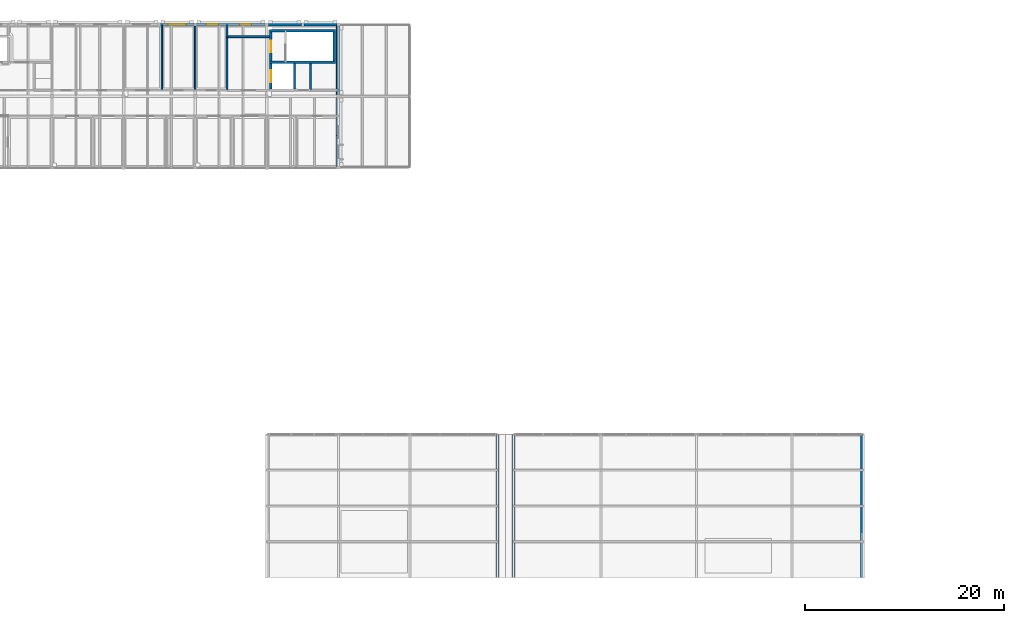
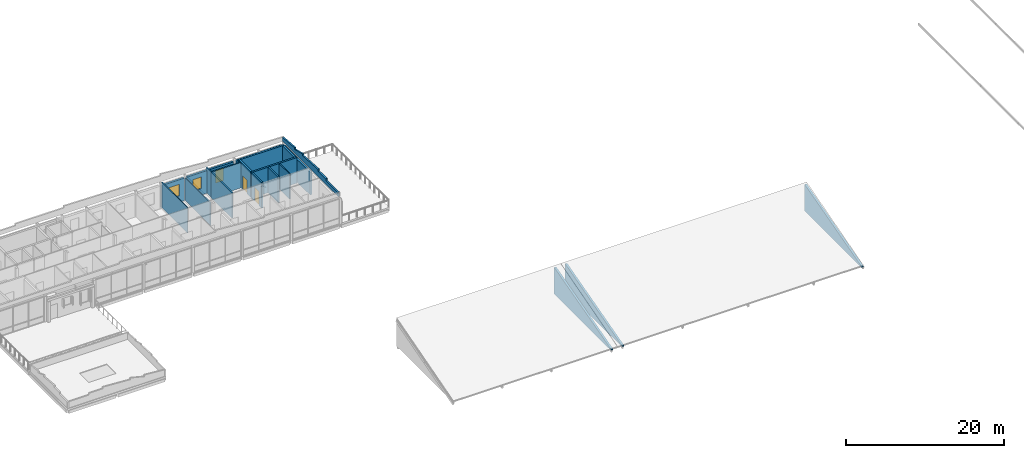
# One storey, part 27 of 32: 21 walls, 3 windows, 2 doors, 5 openings.
"""IFC4 building model written with IfcOpenShell, lengths in metres."""

import ifcopenshell
import ifcopenshell.guid

model = None  # the IFC model being written
_history = None  # IfcOwnerHistory: only IFC2X3 demands one
_inside = {}  # id of a spatial element -> (the spatial element, [elements in it])
_under = {}  # id of a project, library or spatial element -> (it, [spatial elements below it])
_declared = {}  # id of a project -> (the project, [libraries it declares])
_typed = {}  # id of a type object -> (the type object, [elements of that type])
_made_of = {}  # id of a material, layer set ... -> (it, [elements and type objects made of it])


def new_model(schema):
    """Start an empty IFC model of exactly this schema.

    Asked for "IFC4X3", IfcOpenShell would pick the latest addendum, in which some entities
    have other attributes; the version numbers below select the first issue.
    IFC2X3 requires an IfcOwnerHistory on every rooted entity: one is made here for all.
    """
    global model, _history
    if schema == "IFC4X3":
        model = ifcopenshell.file(schema_version=(4, 3, 0, 0))
    else:
        model = ifcopenshell.file(schema=schema)
    _inside.clear()
    _under.clear()
    _declared.clear()
    _typed.clear()
    _made_of.clear()
    _history = None
    if model.schema == "IFC2X3":
        org = make("IfcOrganization", Name="unknown")
        user = make(
            "IfcPersonAndOrganization",
            ThePerson=make("IfcPerson", FamilyName="unknown"),
            TheOrganization=org,
        )
        app = make(
            "IfcApplication",
            ApplicationDeveloper=org,
            Version="unknown",
            ApplicationFullName="unknown",
            ApplicationIdentifier="unknown",
        )
        _history = make(
            "IfcOwnerHistory",
            OwningUser=user,
            OwningApplication=app,
            ChangeAction="ADDED",
            CreationDate=0,
        )
    return model


def make(cls, **values):
    """One entity of the class cls with the attributes given. An attribute that is None is left unset."""
    return model.create_entity(
        cls, **{name: value for name, value in values.items() if value is not None}
    )


def rooted(cls, **values):
    """An entity with a GlobalId (a new one), such as an element, a storey or a relation."""
    return make(cls, GlobalId=ifcopenshell.guid.new(), OwnerHistory=_history, **values)


def si_unit(unit_type, name, prefix=None):
    """IfcSIUnit, for example si_unit("LENGTHUNIT", "METRE", prefix="MILLI")."""
    return make("IfcSIUnit", UnitType=unit_type, Prefix=prefix, Name=name)


def assignment(units):
    """IfcUnitAssignment: the units of a project."""
    return None if units is None else make("IfcUnitAssignment", Units=units)


def point(xyz):
    """IfcCartesianPoint."""
    return None if xyz is None else make("IfcCartesianPoint", Coordinates=xyz)


def direction(xyz):
    """IfcDirection."""
    return None if xyz is None else make("IfcDirection", DirectionRatios=xyz)


def frame(location, z_axis=None, x_axis=None):
    """IfcAxis2Placement3D, a coordinate frame: its origin and axes. An axis left out is left unset."""
    return make(
        "IfcAxis2Placement3D",
        Location=point(location),
        Axis=direction(z_axis),
        RefDirection=direction(x_axis),
    )


def frame_2d(location, x_axis=None):
    """IfcAxis2Placement2D, a coordinate frame in the plane: its origin and x axis."""
    return make(
        "IfcAxis2Placement2D", Location=point(location), RefDirection=direction(x_axis)
    )


def origin():
    """The frame at (0, 0, 0) with its axes left unset."""
    return frame((0.0, 0.0, 0.0))


def place(relative_to, where):
    """IfcLocalPlacement: puts the frame where relative to a parent placement (None: the world)."""
    return make(
        "IfcLocalPlacement", PlacementRelTo=relative_to, RelativePlacement=where
    )


def context(
    kind, dimensions, precision=None, world=None, true_north=None, identifier=None
):
    """IfcGeometricRepresentationContext, for example the 3D "Model" context."""
    return make(
        "IfcGeometricRepresentationContext",
        ContextIdentifier=identifier,
        ContextType=kind,
        CoordinateSpaceDimension=dimensions,
        Precision=precision,
        WorldCoordinateSystem=world,
        TrueNorth=true_north,
    )


def subcontext(parent, identifier, kind, view, scale=None):
    """IfcGeometricRepresentationSubContext, for example "Body" below "Model"."""
    return make(
        "IfcGeometricRepresentationSubContext",
        ContextIdentifier=identifier,
        ContextType=kind,
        ParentContext=parent,
        TargetScale=scale,
        TargetView=view,
    )


def project(units=None, contexts=None):
    """IfcProject with its units and contexts."""
    return rooted(
        "IfcProject",
        Name="project",
        RepresentationContexts=contexts,
        UnitsInContext=assignment(units),
    )


def spatial(cls, under=None, at=None, **own):
    """A site, building, storey or space (cls), placed at a placement, below another one or the project."""
    s = rooted(cls, ObjectPlacement=at, **own)
    if under is not None:
        _under.setdefault(under.id(), (under, []))[1].append(s)
    return s


def polyline(points):
    """IfcPolyline through the points."""
    return make("IfcPolyline", Points=[point(p) for p in points])


def profile(cls, at=None, kind="AREA", **sizes):
    """A parametric profile (cls). Its sizes go by their IFC names, for example OverallWidth=200.0."""
    return make(cls, ProfileType=kind, Position=at, **sizes)


def rectangle(**sizes):
    """IfcRectangleProfileDef."""
    return profile("IfcRectangleProfileDef", **sizes)


def outline(outer, holes=None, kind="AREA"):
    """IfcArbitraryClosedProfileDef: a profile drawn as a closed curve; with holes, ...WithVoids."""
    if holes is None:
        return make("IfcArbitraryClosedProfileDef", ProfileType=kind, OuterCurve=outer)
    return make(
        "IfcArbitraryProfileDefWithVoids",
        ProfileType=kind,
        OuterCurve=outer,
        InnerCurves=holes,
    )


def extrude(swept, where, along, depth):
    """IfcExtrudedAreaSolid: the profile swept, set in the frame where, extruded along a direction by depth."""
    return make(
        "IfcExtrudedAreaSolid",
        SweptArea=swept,
        Position=where,
        ExtrudedDirection=direction(along),
        Depth=depth,
    )


def shape(context_of_items, identifier, shape_type, items):
    """IfcShapeRepresentation: the items that make up one representation, for example the "Body"."""
    return make(
        "IfcShapeRepresentation",
        ContextOfItems=context_of_items,
        RepresentationIdentifier=identifier,
        RepresentationType=shape_type,
        Items=items,
    )


def material(Name=None, Category=None):
    """IfcMaterial."""
    return make("IfcMaterial", Name=Name, Category=Category)


def layer(
    of_material, thickness, ventilated=None, Name=None, Category=None, Priority=None
):
    """IfcMaterialLayer: one layer of a wall or slab, of a material (None: an air gap)."""
    return make(
        "IfcMaterialLayer",
        Material=of_material,
        LayerThickness=thickness,
        IsVentilated=ventilated,
        Name=Name,
        Category=Category,
        Priority=Priority,
    )


def layer_set(layers, Name=None):
    """IfcMaterialLayerSet."""
    return make("IfcMaterialLayerSet", MaterialLayers=layers, LayerSetName=Name)


def made_of(thing, what):
    """Note that an element or type object is made of a material, layer set ...; save() writes the relation."""
    if what is not None:
        _made_of.setdefault(what.id(), (what, []))[1].append(thing)
    return thing


def type_object(cls, material=None, **own):
    """A type object (cls), such as IfcWallType, which elements share."""
    return made_of(rooted(cls, **own), material)


def element(
    cls,
    number,
    at=None,
    inside=None,
    cuts=None,
    type_object=None,
    material=None,
    context=None,
    identifier="Body",
    shape_type=None,
    held_by="IfcProductDefinitionShape",
    body=None,
    shapes=None,
    **own,
):
    """One element of the class cls, such as IfcWall. Its Tag is "e" and its number.

    at: its placement. inside: the storey or other place that contains it. cuts: it is an
    opening in that element (IfcRelVoidsElement). A single representation is given by context,
    identifier, shape_type and body (its items); several are given by shapes. held_by: the class
    of the entity that holds the representations. save() writes the other relations.
    """
    e = rooted(cls, Tag="e%d" % number, ObjectPlacement=at, **own)
    if body is not None:
        shapes = [shape(context, identifier, shape_type, body)]
    if shapes is not None:
        e.Representation = make(held_by, Representations=shapes)
    if inside is not None:
        _inside.setdefault(inside.id(), (inside, []))[1].append(e)
    if cuts is not None:
        rooted(
            "IfcRelVoidsElement", RelatingBuildingElement=cuts, RelatedOpeningElement=e
        )
    if type_object is not None:
        _typed.setdefault(type_object.id(), (type_object, []))[1].append(e)
    return made_of(e, material)


def fill(opening, filler):
    """IfcRelFillsElement: the door or window that sits in an opening."""
    return rooted(
        "IfcRelFillsElement",
        RelatingOpeningElement=opening,
        RelatedBuildingElement=filler,
    )


def aggregate(whole, parts):
    """IfcRelAggregates: a whole, such as a stair, and the parts it consists of."""
    return rooted("IfcRelAggregates", RelatingObject=whole, RelatedObjects=parts)


def save(model, path):
    """Write the relations noted so far, then the file.

    IfcRelAggregates (storeys below a building ...), IfcRelContainedInSpatialStructure (elements
    in a storey), IfcRelDefinesByType, IfcRelAssociatesMaterial and IfcRelDeclares: one each for
    every whole, place, type object, material and project.
    """
    for whole, parts in _under.values():
        aggregate(whole, parts)
    for where, things in _inside.values():
        rooted(
            "IfcRelContainedInSpatialStructure",
            RelatedElements=things,
            RelatingStructure=where,
        )
    for kind, things in _typed.values():
        rooted("IfcRelDefinesByType", RelatedObjects=things, RelatingType=kind)
    for what, things in _made_of.values():
        rooted("IfcRelAssociatesMaterial", RelatedObjects=things, RelatingMaterial=what)
    for by, libraries in _declared.values():
        rooted("IfcRelDeclares", RelatingContext=by, RelatedDefinitions=libraries)
    model.write(path)


model = new_model("IFC4")

# Units and contexts
model_context = context("Model", 3, precision=1e-05, world=origin(), true_north=direction((0.0, 1.0)))
body_context = subcontext(model_context, "Body", "Model", "MODEL_VIEW")
ifc_project = project(units=[si_unit("LENGTHUNIT", "METRE"), si_unit("AREAUNIT", "SQUARE_METRE"), si_unit("VOLUMEUNIT", "CUBIC_METRE"), si_unit("PLANEANGLEUNIT", "RADIAN"), si_unit("MASSUNIT", "GRAM", prefix="KILO")], contexts=[model_context])

# Site, building, storey
site_placement = place(None, origin())
site = spatial("IfcSite", under=ifc_project, at=site_placement, CompositionType="ELEMENT")
building_placement = place(site_placement, origin())
building = spatial("IfcBuilding", under=site, at=building_placement, Name="Hawrajan Terrace Health Centre", CompositionType="ELEMENT")
storey_placement = place(building_placement, frame((0.0, 0.0, 17.39990234375)))
storey = spatial("IfcBuildingStorey", under=building, at=storey_placement, Name="L04", CompositionType="ELEMENT", Elevation=17.39990234375)

# Walls
ifc_material_1 = material(Name="Gypsum board on acoustic stud framing")
ifc_layer_1 = layer(ifc_material_1, 0.139892578125)
ifc_layer_set_1 = layer_set([ifc_layer_1], Name="Gypsum board on acoustic stud framing")
wall_type_1 = type_object("IfcWallType", Name="ClinicalAcousticWall_140", PredefinedType="PARTITIONING", material=ifc_layer_set_1)
wall_1_placement = place(storey_placement, frame((37.2451171875, 53.27001953125, 0.0), z_axis=(0.0, 0.0, 1.0), x_axis=(0.0, 1.0, 0.0)))
element("IfcWall", 1, at=wall_1_placement, inside=storey, type_object=wall_type_1, Name="Interior wall IW-L04-1447", PredefinedType="PARTITIONING", context=body_context, shape_type="SweptSolid", body=[
    extrude(rectangle(XDim=6.530029296875, YDim=0.139892578125, at=frame_2d((3.26513671875, 0.0))), origin(), (0.0, 0.0, 1.0), 3.93017578125),
])
wall_2_placement = place(storey_placement, frame((40.60009765625, 53.27001953125, 0.0), z_axis=(0.0, 0.0, 1.0), x_axis=(0.0, 1.0, 0.0)))
element("IfcWall", 2, at=wall_2_placement, inside=storey, type_object=wall_type_1, Name="Interior wall IW-L04-1453", PredefinedType="PARTITIONING", context=body_context, shape_type="SweptSolid", body=[
    extrude(rectangle(XDim=6.389892578125, YDim=0.139892578125, at=frame_2d((3.19482421875, 0.0))), origin(), (0.0, 0.0, 1.0), 3.489990234375),
])
ifc_material_2 = material(Name="Concrete C40/50", Category="concrete")
ifc_layer_2 = layer(ifc_material_2, 0.260009765625)
ifc_layer_set_2 = layer_set([ifc_layer_2], Name="Concrete C40/50")
wall_type_2 = type_object("IfcWallType", Name="CoreShearWall_RC260", PredefinedType="SHEAR", material=ifc_layer_set_2)
for number, where, z_axis, x_axis, name in (
    (3, (48.070068359375, 56.0, 0.0), (0.0, 0.0, 1.0), (1.0, 0.0, 0.0), "Core shear wall SW-C2-L04-S"),
    (4, (48.070068359375, 59.199951171875, 0.0), (0.0, 0.0, 1.0), (1.0, 0.0, 0.0), "Core shear wall SW-C2-L04-N"),
):
    element("IfcWall", number, at=place(storey_placement, frame(where, z_axis=z_axis, x_axis=x_axis)), inside=storey, type_object=wall_type_2, Name=name, PredefinedType="SHEAR", context=body_context, shape_type="SweptSolid", body=[
        extrude(rectangle(XDim=6.659912109375, YDim=0.260009765625, at=frame_2d((3.330078125, 0.0))), origin(), (0.0, 0.0, 1.0), 3.9501953125),
    ])

# Wall, opening, door
wall_3_placement = place(storey_placement, frame((48.199951171875, 56.1298828125, 0.0), z_axis=(0.0, 0.0, 1.0), x_axis=(0.0, 1.0, 0.0)))
wall_3 = element("IfcWall", 5, at=wall_3_placement, inside=storey, type_object=wall_type_2, Name="Core shear wall SW-C2-L04-W", PredefinedType="SHEAR", context=body_context, shape_type="SweptSolid", body=[
    extrude(rectangle(XDim=2.940185546875, YDim=0.260009765625, at=frame_2d((1.47021484375, 0.0))), origin(), (0.0, 0.0, 1.0), 3.9501953125),
])
opening_1_placement = place(wall_3_placement, frame((0.909912109375, 0.0, 0.0)))
opening_1 = element("IfcOpeningElement", 6, at=opening_1_placement, cuts=wall_3, Name="Opening D-L04-636", PredefinedType="OPENING", context=body_context, shape_type="SweptSolid", body=[
    extrude(rectangle(XDim=1.1201171875, YDim=2.10009765625, at=frame_2d((0.56005859375, 1.050048828125))), frame((0.0, 0.139892578125, 0.0), z_axis=(0.0, -1.0, 0.0), x_axis=(1.0, 0.0, 0.0)), (0.0, 0.0, 1.0), 0.280029296875),
])
ifc_material_3 = material(Name="Timber-veneered acoustic fire-resisting door assembly", Category="wood")
door_type_1 = type_object("IfcDoorType", Name="CoreStairDoor_1120x2100", OperationType="NOTDEFINED", PredefinedType="DOOR", material=ifc_material_3)
door_1_placement = place(opening_1_placement, origin())
door_1 = element("IfcDoor", 7, at=door_1_placement, inside=storey, type_object=door_type_1, Name="Interior door D-L04-636", OperationType="SINGLE_SWING_RIGHT", OverallHeight=2.10009765625, OverallWidth=1.1201171875, PredefinedType="DOOR", context=body_context, shape_type="SweptSolid", body=[
    extrude(rectangle(XDim=1.1201171875, YDim=2.10009765625, at=frame_2d((0.56005859375, 1.050048828125))), frame((0.0, 0.02490234375, 0.0), z_axis=(0.0, -1.0, 0.0), x_axis=(1.0, 0.0, 0.0)), (0.0, 0.0, 1.0), 0.050048828125),
])
fill(opening_1, door_1)

# Walls
wall_4_placement = place(storey_placement, frame((54.60009765625, 56.1298828125, 0.0), z_axis=(0.0, 0.0, 1.0), x_axis=(0.0, 1.0, 0.0)))
element("IfcWall", 8, at=wall_4_placement, inside=storey, type_object=wall_type_2, Name="Core shear wall SW-C2-L04-E", PredefinedType="SHEAR", context=body_context, shape_type="SweptSolid", body=[
    extrude(rectangle(XDim=2.940185546875, YDim=0.260009765625, at=frame_2d((1.47021484375, 0.0))), origin(), (0.0, 0.0, 1.0), 3.9501953125),
])
ifc_layer_3 = layer(ifc_material_1, 0.159912109375)
ifc_layer_set_3 = layer_set([ifc_layer_3], Name="Gypsum board on acoustic stud framing")
wall_type_3 = type_object("IfcWallType", Name="CorridorFireWall_160", PredefinedType="PARTITIONING", material=ifc_layer_set_3)
wall_5_placement = place(storey_placement, frame((52.199951171875, 53.27001953125, 0.0), z_axis=(0.0, 0.0, 1.0), x_axis=(0.0, 1.0, 0.0)))
element("IfcWall", 9, at=wall_5_placement, inside=storey, type_object=wall_type_3, Name="Interior wall IW-L04-1465", PredefinedType="PARTITIONING", context=body_context, shape_type="SweptSolid", body=[
    extrude(rectangle(XDim=2.590087890625, YDim=0.159912109375, at=frame_2d((1.294921875, 0.0))), origin(), (0.0, 0.0, 1.0), 3.93017578125),
])
wall_6_placement = place(storey_placement, frame((43.800048828125, 58.60009765625, 0.0), z_axis=(0.0, 0.0, 1.0), x_axis=(0.0, 1.0, 0.0)))
element("IfcWall", 10, at=wall_6_placement, inside=storey, type_object=wall_type_3, Name="Interior wall IW-L04-1478", PredefinedType="PARTITIONING", context=body_context, shape_type="SweptSolid", body=[
    extrude(rectangle(XDim=1.199951171875, YDim=0.159912109375, at=frame_2d((0.60009765625, 0.0))), origin(), (0.0, 0.0, 1.0), 3.93017578125),
])
ifc_material_4 = material(Name="Cross-laminated timber CLT C24", Category="wood")
ifc_layer_4 = layer(ifc_material_4, 0.199951171875)
ifc_layer_set_4 = layer_set([ifc_layer_4], Name="Cross-laminated timber CLT C24")
wall_type_4 = type_object("IfcWallType", Name="FireCompartmentWall_200", PredefinedType="PARTITIONING", material=ifc_layer_set_4)
wall_7_placement = place(storey_placement, frame((43.800048828125, 53.27001953125, 0.0), z_axis=(0.0, 0.0, 1.0), x_axis=(0.0, 1.0, 0.0)))
element("IfcWall", 11, at=wall_7_placement, inside=storey, type_object=wall_type_4, Name="Interior wall IW-L04-1455", PredefinedType="PARTITIONING", context=body_context, shape_type="SweptSolid", body=[
    extrude(rectangle(XDim=5.330078125, YDim=0.199951171875, at=frame_2d((2.6650390625, 0.0))), origin(), (0.0, 0.0, 1.0), 3.93017578125),
])
wall_8_placement = place(storey_placement, frame((48.06005859375, 58.60009765625, 0.0), z_axis=(0.0, 0.0, 1.0), x_axis=(-1.0, 0.0, 0.0)))
element("IfcWall", 12, at=wall_8_placement, inside=storey, type_object=wall_type_4, Name="Interior wall IW-L04-1467", PredefinedType="PARTITIONING", context=body_context, shape_type="SweptSolid", body=[
    extrude(rectangle(XDim=4.260009765625, YDim=0.199951171875, at=frame_2d((2.1298828125, 0.0))), origin(), (0.0, 0.0, 1.0), 3.93017578125),
])

# Wall, opening, window
ifc_layer_5 = layer(ifc_material_4, 0.2900390625)
ifc_layer_set_5 = layer_set([ifc_layer_5], Name="Cross-laminated timber CLT C24")
wall_type_5 = type_object("IfcWallType", Name="InsulatedTimberFacade_290", PredefinedType="SOLIDWALL", material=ifc_layer_set_5)
wall_9_placement = place(storey_placement, frame((37.1201171875, 59.800048828125, 0.0), z_axis=(0.0, 0.0, 1.0), x_axis=(1.0, 0.0, 0.0)))
wall_9 = element("IfcWall", 13, at=wall_9_placement, inside=storey, type_object=wall_type_5, Name="Exterior wall EW-L04-H04-07-2", PredefinedType="SOLIDWALL", context=body_context, shape_type="SweptSolid", body=[
    extrude(rectangle(XDim=3.33984375, YDim=0.2900390625, at=frame_2d((1.669921875, 0.0))), origin(), (0.0, 0.0, 1.0), 3.489990234375),
])
opening_2_placement = place(wall_9_placement, frame((0.77001953125, 0.0, 1.0)))
opening_2 = element("IfcOpeningElement", 14, at=opening_2_placement, cuts=wall_9, Name="Opening W-L04-224", PredefinedType="OPENING", context=body_context, shape_type="SweptSolid", body=[
    extrude(rectangle(XDim=1.800048828125, YDim=1.800048828125, at=frame_2d((0.89990234375, 0.89990234375))), frame((0.0, 0.155029296875, 0.0), z_axis=(0.0, -1.0, 0.0), x_axis=(1.0, 0.0, 0.0)), (0.0, 0.0, 1.0), 0.31005859375),
])
ifc_material_5 = material(Name="Anodized bronze frame with double low-E glazing", Category="glass")
window_type_1 = type_object("IfcWindowType", Name="FacadeWindow_1800x1800", PartitioningType="DOUBLE_PANEL_VERTICAL", PredefinedType="WINDOW", material=ifc_material_5)
window_1_placement = place(opening_2_placement, origin())
window_1 = element("IfcWindow", 15, at=window_1_placement, inside=storey, type_object=window_type_1, Name="Window W-L04-224", OverallHeight=1.800048828125, OverallWidth=1.800048828125, PartitioningType="DOUBLE_PANEL_VERTICAL", PredefinedType="WINDOW", context=body_context, shape_type="SweptSolid", body=[
    extrude(rectangle(XDim=1.800048828125, YDim=1.800048828125, at=frame_2d((0.89990234375, 0.89990234375))), frame((0.0, 0.030029296875, 0.0), z_axis=(0.0, -1.0, 0.0), x_axis=(1.0, 0.0, 0.0)), (0.0, 0.0, 1.0), 0.06005859375),
])
fill(opening_2, window_1)

# Wall, openings, windows
wall_10_placement = place(storey_placement, frame((40.739990234375, 59.800048828125, 0.0), z_axis=(0.0, 0.0, 1.0), x_axis=(1.0, 0.0, 0.0)))
wall_10 = element("IfcWall", 16, at=wall_10_placement, inside=storey, type_object=wall_type_5, Name="Exterior wall EW-L04-H05-07-1", PredefinedType="SOLIDWALL", context=body_context, shape_type="SweptSolid", body=[
    extrude(rectangle(XDim=6.89990234375, YDim=0.2900390625, at=frame_2d((3.449951171875, 0.0))), origin(), (0.0, 0.0, 1.0), 3.489990234375),
])
opening_3_placement = place(wall_10_placement, frame((0.969970703125, 0.0, 1.0)))
opening_3 = element("IfcOpeningElement", 17, at=opening_3_placement, cuts=wall_10, Name="Opening W-L04-225", PredefinedType="OPENING", context=body_context, shape_type="SweptSolid", body=[
    extrude(rectangle(XDim=1.239990234375, YDim=1.800048828125, at=frame_2d((0.6201171875, 0.89990234375))), frame((0.0, 0.155029296875, 0.0), z_axis=(0.0, -1.0, 0.0), x_axis=(1.0, 0.0, 0.0)), (0.0, 0.0, 1.0), 0.31005859375),
])
opening_4_placement = place(wall_10_placement, frame((4.320068359375, 0.0, 1.0)))
opening_4 = element("IfcOpeningElement", 18, at=opening_4_placement, cuts=wall_10, Name="Opening W-L04-226", PredefinedType="OPENING", context=body_context, shape_type="SweptSolid", body=[
    extrude(rectangle(XDim=1.199951171875, YDim=1.949951171875, at=frame_2d((0.60009765625, 0.97509765625))), frame((0.0, 0.155029296875, 0.0), z_axis=(0.0, -1.0, 0.0), x_axis=(1.0, 0.0, 0.0)), (0.0, 0.0, 1.0), 0.31005859375),
])
window_type_2 = type_object("IfcWindowType", Name="FacadeWindow_1200x1950", PartitioningType="SINGLE_PANEL", PredefinedType="WINDOW", material=ifc_material_5)
window_2_placement = place(opening_4_placement, origin())
window_2 = element("IfcWindow", 19, at=window_2_placement, inside=storey, type_object=window_type_2, Name="Window W-L04-226", OverallHeight=1.949951171875, OverallWidth=1.199951171875, PartitioningType="SINGLE_PANEL", PredefinedType="WINDOW", context=body_context, shape_type="SweptSolid", body=[
    extrude(rectangle(XDim=1.199951171875, YDim=1.949951171875, at=frame_2d((0.60009765625, 0.97509765625))), frame((0.0, 0.030029296875, 0.0), z_axis=(0.0, -1.0, 0.0), x_axis=(1.0, 0.0, 0.0)), (0.0, 0.0, 1.0), 0.06005859375),
])
fill(opening_4, window_2)
window_type_3 = type_object("IfcWindowType", Name="FacadeWindow_1240x1800", PartitioningType="SINGLE_PANEL", PredefinedType="WINDOW", material=ifc_material_5)
window_3_placement = place(opening_3_placement, origin())
window_3 = element("IfcWindow", 20, at=window_3_placement, inside=storey, type_object=window_type_3, Name="Window W-L04-225", OverallHeight=1.800048828125, OverallWidth=1.239990234375, PartitioningType="SINGLE_PANEL", PredefinedType="WINDOW", context=body_context, shape_type="SweptSolid", body=[
    extrude(rectangle(XDim=1.239990234375, YDim=1.800048828125, at=frame_2d((0.6201171875, 0.89990234375))), frame((0.0, 0.030029296875, 0.0), z_axis=(0.0, -1.0, 0.0), x_axis=(1.0, 0.0, 0.0)), (0.0, 0.0, 1.0), 0.06005859375),
])
fill(opening_3, window_3)

# Walls
wall_11_placement = place(storey_placement, frame((47.9599609375, 59.800048828125, 0.0), z_axis=(0.0, 0.0, 1.0), x_axis=(1.0, 0.0, 0.0)))
element("IfcWall", 21, at=wall_11_placement, inside=storey, type_object=wall_type_5, Name="Exterior wall EW-L04-H06-07-1", PredefinedType="SOLIDWALL", context=body_context, shape_type="SweptSolid", body=[
    extrude(rectangle(XDim=3.320068359375, YDim=0.2900390625, at=frame_2d((1.66015625, 0.0))), origin(), (0.0, 0.0, 1.0), 3.489990234375),
])
wall_12_placement = place(storey_placement, frame((51.52001953125, 59.800048828125, 0.0), z_axis=(0.0, 0.0, 1.0), x_axis=(1.0, 0.0, 0.0)))
element("IfcWall", 22, at=wall_12_placement, inside=storey, type_object=wall_type_5, Name="Exterior wall EW-L04-H06-07-2", PredefinedType="SOLIDWALL", context=body_context, shape_type="SweptSolid", body=[
    extrude(rectangle(XDim=3.340087890625, YDim=0.2900390625, at=frame_2d((1.669921875, 0.0))), origin(), (0.0, 0.0, 1.0), 3.489990234375),
])
wall_13_placement = place(storey_placement, frame((55.0, 52.760009765625, 0.0), z_axis=(0.0, 0.0, 1.0), x_axis=(0.0, 1.0, 0.0)))
element("IfcWall", 23, at=wall_13_placement, inside=storey, type_object=wall_type_5, Name="Exterior wall EW-L04-V07-06-1", PredefinedType="SOLIDWALL", context=body_context, shape_type="SweptSolid", body=[
    extrude(rectangle(XDim=6.89990234375, YDim=0.2900390625, at=frame_2d((3.449951171875, 0.0))), origin(), (0.0, 0.0, 1.0), 3.489990234375),
])
for number, where, z_axis, x_axis, name in (
    (24, (71.0, 4.199951171875, -0.199951171875), (0.0, 0.0, 1.0), (0.0, 1.0, 0.0), "North-light shed gable wall TYM-V3-L04-JW"),
    (25, (72.60009765625, 4.199951171875, -0.199951171875), (0.0, 0.0, 1.0), (0.0, 1.0, 0.0), "North-light shed gable wall TYM-V3-L04-JC"),
    (26, (107.64990234375, 4.199951171875, -0.199951171875), (0.0, 0.0, 1.0), (0.0, 1.0, 0.0), "North-light shed gable wall TYM-V3-L04-E"),
):
    element("IfcWall", number, at=place(storey_placement, frame(where, z_axis=z_axis, x_axis=x_axis)), inside=storey, type_object=wall_type_5, Name=name, PredefinedType="SOLIDWALL", context=body_context, shape_type="SweptSolid", body=[
        extrude(outline(polyline([(0.0, 0.0), (14.400146484375, 0.0), (14.39990234375, 4.129150390625), (0.0, 0.179931640625), (0.0, 0.0)])), frame((0.0, 0.14501953125, 0.0), z_axis=(0.0, -1.0, 0.0), x_axis=(1.0, 0.0, 0.0)), (0.0, 0.0, 1.0), 0.2900390625),
    ])

# Wall, opening, door
ifc_layer_6 = layer(ifc_material_2, 0.219970703125)
ifc_layer_set_6 = layer_set([ifc_layer_6], Name="Concrete C40/50")
wall_type_6 = type_object("IfcWallType", Name="ShaftWall_RC220", PredefinedType="SOLIDWALL", material=ifc_layer_set_6)
wall_14_placement = place(storey_placement, frame((48.199951171875, 53.31005859375, 0.0), z_axis=(0.0, 0.0, 1.0), x_axis=(0.0, 1.0, 0.0)))
wall_14 = element("IfcWall", 27, at=wall_14_placement, inside=storey, type_object=wall_type_6, Name="Lift shaft wall LW-LC-03-L04-W", PredefinedType="SOLIDWALL", context=body_context, shape_type="SweptSolid", body=[
    extrude(rectangle(XDim=2.579833984375, YDim=0.219970703125, at=frame_2d((1.2900390625, 0.0))), origin(), (0.0, 0.0, 1.0), 3.9501953125),
])
opening_5_placement = place(wall_14_placement, frame((0.68994140625, 0.0, 0.0)))
opening_5 = element("IfcOpeningElement", 28, at=opening_5_placement, cuts=wall_14, Name="Opening LD-L04-LC-03", PredefinedType="OPENING", context=body_context, shape_type="SweptSolid", body=[
    extrude(rectangle(XDim=1.199951171875, YDim=2.14990234375, at=frame_2d((0.60009765625, 1.074951171875))), frame((0.0, 0.119873046875, 0.0), z_axis=(0.0, -1.0, 0.0), x_axis=(1.0, 0.0, 0.0)), (0.0, 0.0, 1.0), 0.239990234375),
])
ifc_material_6 = material(Name="Brushed bronze stainless-steel sliding lift landing door", Category="steel")
door_type_2 = type_object("IfcDoorType", Name="LiftLandingDoor_1200x2150", OperationType="SLIDING_TO_LEFT", PredefinedType="DOOR", material=ifc_material_6)
door_2_placement = place(opening_5_placement, origin())
door_2 = element("IfcDoor", 29, at=door_2_placement, inside=storey, type_object=door_type_2, Name="Lift landing door LD-L04-LC-03", OperationType="SLIDING_TO_LEFT", OverallHeight=2.14990234375, OverallWidth=1.199951171875, PredefinedType="DOOR", context=body_context, shape_type="SweptSolid", body=[
    extrude(rectangle(XDim=1.199951171875, YDim=2.14990234375, at=frame_2d((0.60009765625, 1.074951171875))), frame((0.0, 0.02490234375, 0.0), z_axis=(0.0, -1.0, 0.0), x_axis=(1.0, 0.0, 0.0)), (0.0, 0.0, 1.0), 0.050048828125),
])
fill(opening_5, door_2)

# Walls
wall_15_placement = place(storey_placement, frame((50.60009765625, 53.31005859375, 0.0), z_axis=(0.0, 0.0, 1.0), x_axis=(0.0, 1.0, 0.0)))
element("IfcWall", 30, at=wall_15_placement, inside=storey, type_object=wall_type_6, Name="Lift shaft wall LW-LC-03-L04-E", PredefinedType="SOLIDWALL", context=body_context, shape_type="SweptSolid", body=[
    extrude(rectangle(XDim=2.579833984375, YDim=0.219970703125, at=frame_2d((1.2900390625, 0.0))), origin(), (0.0, 0.0, 1.0), 3.9501953125),
])
ifc_material_7 = material(Name="Precast concrete C40/50", Category="concrete")
ifc_layer_7 = layer(ifc_material_7, 0.22998046875)
ifc_layer_set_7 = layer_set([ifc_layer_7], Name="Precast concrete C40/50")
wall_type_7 = type_object("IfcWallType", Name="ZigguratParapet_230", PredefinedType="PARAPET", material=ifc_layer_set_7)
wall_16_placement = place(storey_placement, frame((54.8798828125, 45.52001953125, 4.2001953125), z_axis=(0.0, 0.0, 1.0), x_axis=(0.0, 1.0, 0.0)))
element("IfcWall", 31, at=wall_16_placement, inside=storey, type_object=wall_type_7, Name="Stepped Art Deco parapet PAR-RF-E", PredefinedType="PARAPET", context=body_context, shape_type="SweptSolid", body=[
    extrude(outline(polyline([(0.0, 0.0), (14.159912109375, 0.0), (14.159912109375, 0.599853515625), (11.044921875, 0.849853515625), (11.044921875, 0.599853515625), (9.0625, 1.099853515625), (9.0625, 0.849853515625), (5.09765625, 1.099853515625), (5.09765625, 0.849853515625), (3.115234375, 0.849853515625), (3.115234375, 0.599853515625), (0.0, 0.599853515625), (0.0, 0.0)])), frame((0.0, 0.114990234375, 0.0), z_axis=(0.0, -1.0, 0.0), x_axis=(1.0, 0.0, 0.0)), (0.0, 0.0, 1.0), 0.22998046875),
])

save(model, "model.ifc")
